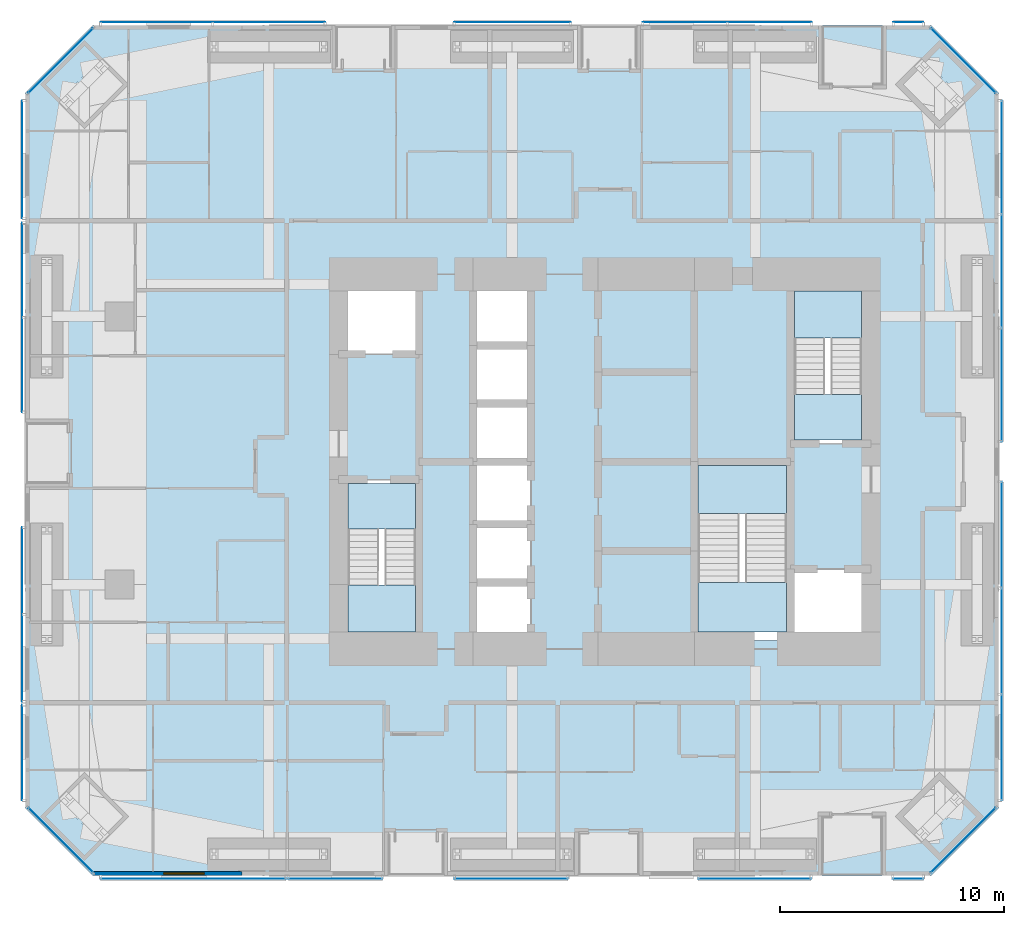
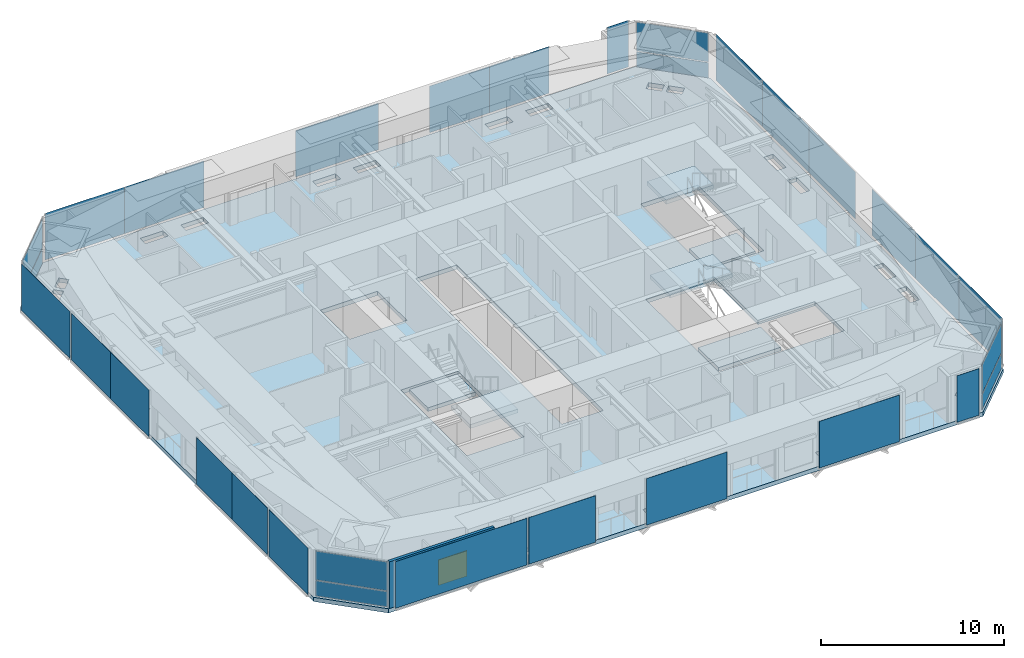
# One storey, part 15 of 23: 31 plates, 7 slabs, 1 wall, 1 window, 1 opening, 22 elements without a shape of their own.
"""IFC4 building model written with IfcOpenShell, lengths in metres."""

from ifc_helpers import new_model, si_unit, direction, frame, frame_2d, origin, origin_2d, place, context, subcontext, project, spatial, polyline, rectangle, outline, extrude, material, layer, layer_set, constituent, constituent_set, type_object, element, fill, aggregate, save


model = new_model("IFC4")

# Units and contexts
model_context = context("Model", 3, precision=1e-05, world=origin(), true_north=direction((0.0, 1.0)))
body_context = subcontext(model_context, "Body", "Model", "MODEL_VIEW")
ifc_project = project(units=[si_unit("LENGTHUNIT", "METRE"), si_unit("AREAUNIT", "SQUARE_METRE"), si_unit("VOLUMEUNIT", "CUBIC_METRE"), si_unit("PLANEANGLEUNIT", "RADIAN"), si_unit("MASSUNIT", "GRAM", prefix="KILO")], contexts=[model_context])

# Site, building, storey
site_placement = place(None, origin())
site = spatial("IfcSite", under=ifc_project, at=site_placement, CompositionType="ELEMENT")
building_placement = place(site_placement, origin())
building = spatial("IfcBuilding", under=site, at=building_placement, Name="Jalousie Tower", CompositionType="ELEMENT")
storey_placement = place(building_placement, frame((0.0, 0.0, 84.75)))
storey = spatial("IfcBuildingStorey", under=building, at=storey_placement, Name="L22", CompositionType="ELEMENT", Elevation=84.75)

# Curtain wall, plates
ifc_material_1 = material(Name="Aluminium curtain wall", Category="aluminium")
curtain_wall_type_1 = type_object("IfcCurtainWallType", Name="CORNER WINDOW WALL", PredefinedType="USERDEFINED", material=ifc_material_1)
curtain_wall_1_placement = place(storey_placement, origin())
curtain_wall_1 = element("IfcCurtainWall", 1, at=curtain_wall_1_placement, inside=storey, type_object=curtain_wall_type_1, Name="Corner Window Wall L22 2", ObjectType="CORNER WINDOW WALL", PredefinedType="USERDEFINED")
ifc_material_2 = material(Name="Laminated impact-rated spandrel glass", Category="glass")
ifc_layer_1 = layer(ifc_material_2, 0.028076171875)
ifc_layer_set_1 = layer_set([ifc_layer_1], Name="Laminated impact-rated spandrel glass")
plate_type_1 = type_object("IfcPlateType", Name="CORNER WINDOW WALL PANEL", PredefinedType="CURTAIN_PANEL", material=ifc_layer_set_1)
plate_1_placement = place(storey_placement, frame((47.9306640625, 1.5693359375, 0.06005859375), z_axis=(0.0, 0.0, 1.0), x_axis=(0.707106781187, 0.707106781187, 0.0)))
plate_1 = element("IfcPlate", 2, at=plate_1_placement, type_object=plate_type_1, Name="CW-C panel 1.1", PredefinedType="CURTAIN_PANEL", context=body_context, shape_type="SweptSolid", body=[
    extrude(rectangle(XDim=4.071533203125, YDim=0.028076171875, at=origin_2d()), origin(), (0.0, 0.0, 1.0), 1.010009765625),
])
plate_2_placement = place(storey_placement, frame((47.9306640625, 1.5693359375, 1.130126953125), z_axis=(0.0, 0.0, 1.0), x_axis=(0.707106781187, 0.707106781187, 0.0)))
plate_2 = element("IfcPlate", 3, at=plate_2_placement, type_object=plate_type_1, Name="CW-C panel 1.2", PredefinedType="CURTAIN_PANEL", context=body_context, shape_type="SweptSolid", body=[
    extrude(rectangle(XDim=4.071533203125, YDim=0.028076171875, at=origin_2d()), origin(), (0.0, 0.0, 1.0), 1.919921875),
])
aggregate(curtain_wall_1, [plate_1, plate_2])

curtain_wall_2_placement = place(storey_placement, origin())
curtain_wall_2 = element("IfcCurtainWall", 4, at=curtain_wall_2_placement, inside=storey, type_object=curtain_wall_type_1, Name="Corner Window Wall L22 4", ObjectType="CORNER WINDOW WALL", PredefinedType="USERDEFINED")
plate_3_placement = place(storey_placement, frame((47.9306640625, 36.4306640625, 0.06005859375), z_axis=(0.0, 0.0, 1.0), x_axis=(-0.707106781187, 0.707106781187, 0.0)))
plate_3 = element("IfcPlate", 5, at=plate_3_placement, type_object=plate_type_1, Name="CW-C panel 1.1", PredefinedType="CURTAIN_PANEL", context=body_context, shape_type="SweptSolid", body=[
    extrude(rectangle(XDim=4.071533203125, YDim=0.028076171875, at=origin_2d()), origin(), (0.0, 0.0, 1.0), 1.010009765625),
])
plate_4_placement = place(storey_placement, frame((47.9306640625, 36.4306640625, 1.130126953125), z_axis=(0.0, 0.0, 1.0), x_axis=(-0.707106781187, 0.707106781187, 0.0)))
plate_4 = element("IfcPlate", 6, at=plate_4_placement, type_object=plate_type_1, Name="CW-C panel 1.2", PredefinedType="CURTAIN_PANEL", context=body_context, shape_type="SweptSolid", body=[
    extrude(rectangle(XDim=4.071533203125, YDim=0.028076171875, at=origin_2d()), origin(), (0.0, 0.0, 1.0), 1.919921875),
])
aggregate(curtain_wall_2, [plate_3, plate_4])

curtain_wall_3_placement = place(storey_placement, origin())
curtain_wall_3 = element("IfcCurtainWall", 7, at=curtain_wall_3_placement, inside=storey, type_object=curtain_wall_type_1, Name="Corner Window Wall L22 6", ObjectType="CORNER WINDOW WALL", PredefinedType="USERDEFINED")
plate_5_placement = place(storey_placement, frame((7.5693359375, 36.4306640625, 0.06005859375), z_axis=(0.0, 0.0, 1.0), x_axis=(-0.707106781187, -0.707106781187, 0.0)))
plate_5 = element("IfcPlate", 8, at=plate_5_placement, type_object=plate_type_1, Name="CW-C panel 1.1", PredefinedType="CURTAIN_PANEL", context=body_context, shape_type="SweptSolid", body=[
    extrude(rectangle(XDim=4.071533203125, YDim=0.028076171875, at=origin_2d()), origin(), (0.0, 0.0, 1.0), 1.010009765625),
])
plate_6_placement = place(storey_placement, frame((7.5693359375, 36.4306640625, 1.130126953125), z_axis=(0.0, 0.0, 1.0), x_axis=(-0.707106781187, -0.707106781187, 0.0)))
plate_6 = element("IfcPlate", 9, at=plate_6_placement, type_object=plate_type_1, Name="CW-C panel 1.2", PredefinedType="CURTAIN_PANEL", context=body_context, shape_type="SweptSolid", body=[
    extrude(rectangle(XDim=4.071533203125, YDim=0.028076171875, at=origin_2d()), origin(), (0.0, 0.0, 1.0), 1.919921875),
])
aggregate(curtain_wall_3, [plate_5, plate_6])

curtain_wall_4_placement = place(storey_placement, origin())
curtain_wall_4 = element("IfcCurtainWall", 10, at=curtain_wall_4_placement, inside=storey, type_object=curtain_wall_type_1, Name="Corner Window Wall L22 8", ObjectType="CORNER WINDOW WALL", PredefinedType="USERDEFINED")
plate_7_placement = place(storey_placement, frame((7.5693359375, 1.5693359375, 0.06005859375), z_axis=(0.0, 0.0, 1.0), x_axis=(0.707106781187, -0.707106781187, 0.0)))
plate_7 = element("IfcPlate", 11, at=plate_7_placement, type_object=plate_type_1, Name="CW-C panel 1.1", PredefinedType="CURTAIN_PANEL", context=body_context, shape_type="SweptSolid", body=[
    extrude(rectangle(XDim=4.071533203125, YDim=0.028076171875, at=origin_2d()), origin(), (0.0, 0.0, 1.0), 1.010009765625),
])
plate_8_placement = place(storey_placement, frame((7.5693359375, 1.5693359375, 1.130126953125), z_axis=(0.0, 0.0, 1.0), x_axis=(0.707106781187, -0.707106781187, 0.0)))
plate_8 = element("IfcPlate", 12, at=plate_8_placement, type_object=plate_type_1, Name="CW-C panel 1.2", PredefinedType="CURTAIN_PANEL", context=body_context, shape_type="SweptSolid", body=[
    extrude(rectangle(XDim=4.071533203125, YDim=0.028076171875, at=origin_2d()), origin(), (0.0, 0.0, 1.0), 1.919921875),
])
aggregate(curtain_wall_4, [plate_7, plate_8])

# Slab
ifc_material_3 = material(Name="Concrete f'c 40 MPa", Category="concrete")
ifc_layer_2 = layer(ifc_material_3, 0.280029296875)
ifc_layer_set_2 = layer_set([ifc_layer_2], Name="Concrete f'c 40 MPa")
slab_type_1 = type_object("IfcSlabType", Name="FLOOR SLAB 280", PredefinedType="FLOOR", material=ifc_layer_set_2)
slab_1_placement = place(storey_placement, frame((0.0, 0.0, -0.280029296875)))
element("IfcSlab", 13, at=slab_1_placement, inside=storey, type_object=slab_type_1, Name="L22 floor slab", PredefinedType="FLOOR", context=body_context, shape_type="SweptSolid", body=[
    extrude(outline(polyline([(9.0, 0.0), (46.5, 0.0), (49.5, 3.0), (49.5, 35.0), (46.5, 38.0), (9.0, 38.0), (6.0, 35.0), (6.0, 3.0), (9.0, 0.0)]), holes=[polyline([(27.19091796875, 0.663818359375), (25.755859375, 0.663818359375), (25.755859375, 1.236083984375), (27.19091796875, 1.236083984375), (27.19091796875, 0.663818359375)]), polyline([(16.31591796875, 1.236083984375), (16.31591796875, 0.663818359375), (14.880859375, 0.663818359375), (14.880859375, 1.236083984375), (16.31591796875, 1.236083984375)]), polyline([(17.43408203125, 1.236083984375), (18.869140625, 1.236083984375), (18.869140625, 0.663818359375), (17.43408203125, 0.663818359375), (17.43408203125, 1.236083984375)]), polyline([(8.9248046875, 2.742919921875), (9.553466796875, 2.114013671875), (9.148681640625, 1.70947265625), (8.52001953125, 2.338134765625), (8.9248046875, 2.742919921875)]), polyline([(8.338134765625, 2.52001953125), (7.70947265625, 3.148681640625), (8.114013671875, 3.553466796875), (8.742919921875, 2.9248046875), (8.338134765625, 2.52001953125)]), polyline([(7.236083984375, 12.44091796875), (7.236083984375, 11.005859375), (6.663818359375, 11.005859375), (6.663818359375, 12.44091796875), (7.236083984375, 12.44091796875)]), polyline([(20.0, 10.5), (23.60009765625, 10.5), (23.60009765625, 17.699951171875), (20.0, 17.699951171875), (20.0, 10.5)]), polyline([(6.663818359375, 13.55908203125), (6.663818359375, 14.994140625), (7.236083984375, 14.994140625), (7.236083984375, 13.55908203125), (6.663818359375, 13.55908203125)]), polyline([(26.0, 10.5), (26.0, 26.5), (28.60009765625, 26.5), (28.60009765625, 10.5), (26.0, 10.5)]), polyline([(6.663818359375, 24.44091796875), (7.236083984375, 24.44091796875), (7.236083984375, 23.005859375), (6.663818359375, 23.005859375), (6.663818359375, 24.44091796875)]), polyline([(20.0, 23.300048828125), (23.60009765625, 23.300048828125), (23.60009765625, 26.5), (20.0, 26.5), (20.0, 23.300048828125)]), polyline([(6.663818359375, 25.55908203125), (6.663818359375, 26.994140625), (7.236083984375, 26.994140625), (7.236083984375, 25.55908203125), (6.663818359375, 25.55908203125)]), polyline([(8.742919921875, 35.0751953125), (8.114013671875, 34.446533203125), (7.70947265625, 34.851318359375), (8.338134765625, 35.47998046875), (8.742919921875, 35.0751953125)]), polyline([(8.52001953125, 35.661865234375), (9.148681640625, 36.29052734375), (9.553466796875, 35.885986328125), (8.9248046875, 35.257080078125), (8.52001953125, 35.661865234375)]), polyline([(17.43408203125, 37.336181640625), (18.869140625, 37.336181640625), (18.869140625, 36.763916015625), (17.43408203125, 36.763916015625), (17.43408203125, 37.336181640625)]), polyline([(16.31591796875, 36.763916015625), (14.880859375, 36.763916015625), (14.880859375, 37.336181640625), (16.31591796875, 37.336181640625), (16.31591796875, 36.763916015625)]), polyline([(27.19091796875, 36.763916015625), (25.755859375, 36.763916015625), (25.755859375, 37.336181640625), (27.19091796875, 37.336181640625), (27.19091796875, 36.763916015625)]), polyline([(28.30908203125, 0.663818359375), (28.30908203125, 1.236083984375), (29.744140625, 1.236083984375), (29.744140625, 0.663818359375), (28.30908203125, 0.663818359375)]), polyline([(38.06591796875, 0.663818359375), (36.630859375, 0.663818359375), (36.630859375, 1.236083984375), (38.06591796875, 1.236083984375), (38.06591796875, 0.663818359375)]), polyline([(39.18408203125, 1.236083984375), (40.619140625, 1.236083984375), (40.619140625, 0.663818359375), (39.18408203125, 0.663818359375), (39.18408203125, 1.236083984375)]), polyline([(46.97998046875, 2.338134765625), (46.351318359375, 1.70947265625), (45.946533203125, 2.114013671875), (46.5751953125, 2.742919921875), (46.97998046875, 2.338134765625)]), polyline([(46.757080078125, 2.9248046875), (47.385986328125, 3.553466796875), (47.79052734375, 3.148681640625), (47.161865234375, 2.52001953125), (46.757080078125, 2.9248046875)]), polyline([(48.836181640625, 12.44091796875), (48.836181640625, 11.005859375), (48.263916015625, 11.005859375), (48.263916015625, 12.44091796875), (48.836181640625, 12.44091796875)]), polyline([(43.800048828125, 10.5), (35.89990234375, 10.5), (35.89990234375, 18.5), (40.199951171875, 18.5), (40.199951171875, 13.699951171875), (43.800048828125, 13.699951171875), (43.800048828125, 10.5)]), polyline([(48.263916015625, 13.55908203125), (48.263916015625, 14.994140625), (48.836181640625, 14.994140625), (48.836181640625, 13.55908203125), (48.263916015625, 13.55908203125)]), polyline([(40.199951171875, 19.300048828125), (43.800048828125, 19.300048828125), (43.800048828125, 26.5), (40.199951171875, 26.5), (40.199951171875, 19.300048828125)]), polyline([(48.263916015625, 24.44091796875), (48.836181640625, 24.44091796875), (48.836181640625, 23.005859375), (48.263916015625, 23.005859375), (48.263916015625, 24.44091796875)]), polyline([(48.263916015625, 25.55908203125), (48.263916015625, 26.994140625), (48.836181640625, 26.994140625), (48.836181640625, 25.55908203125), (48.263916015625, 25.55908203125)]), polyline([(47.161865234375, 35.47998046875), (47.79052734375, 34.851318359375), (47.385986328125, 34.446533203125), (46.757080078125, 35.0751953125), (47.161865234375, 35.47998046875)]), polyline([(46.5751953125, 35.257080078125), (45.946533203125, 35.885986328125), (46.351318359375, 36.29052734375), (46.97998046875, 35.661865234375), (46.5751953125, 35.257080078125)]), polyline([(39.18408203125, 37.336181640625), (40.619140625, 37.336181640625), (40.619140625, 36.763916015625), (39.18408203125, 36.763916015625), (39.18408203125, 37.336181640625)]), polyline([(38.06591796875, 36.763916015625), (36.630859375, 36.763916015625), (36.630859375, 37.336181640625), (38.06591796875, 37.336181640625), (38.06591796875, 36.763916015625)]), polyline([(28.30908203125, 37.336181640625), (29.744140625, 37.336181640625), (29.744140625, 36.763916015625), (28.30908203125, 36.763916015625), (28.30908203125, 37.336181640625)])]), origin(), (0.0, 0.0, 1.0), 0.280029296875),
])

# Curtain wall, plate
ifc_material_4 = material(Name="Perforated aluminium sheet", Category="aluminium")
curtain_wall_type_2 = type_object("IfcCurtainWallType", Name="SOLAR SCREEN SS-1", PredefinedType="USERDEFINED", material=ifc_material_4)
curtain_wall_5_placement = place(storey_placement, origin())
curtain_wall_5 = element("IfcCurtainWall", 14, at=curtain_wall_5_placement, inside=storey, type_object=curtain_wall_type_2, Name="Solar screen L22", ObjectType="SOLAR SCREEN SS-1", PredefinedType="USERDEFINED")
ifc_material_5 = material(Name="Perforated aluminium sheet", Category="aluminium")
ifc_layer_3 = layer(ifc_material_5, 0.006103515625)
ifc_layer_set_3 = layer_set([ifc_layer_3], Name="Perforated aluminium sheet")
plate_type_2 = type_object("IfcPlateType", Name="SOLAR SCREEN SS-1 PANEL", PredefinedType="CURTAIN_PANEL", material=ifc_layer_set_3)
plate_9_placement = place(storey_placement, frame((13.500732421875, -0.150390625, 0.0), z_axis=(0.0, 0.0, 1.0), x_axis=(1.0, 0.0, 0.0)))
plate_9 = element("IfcPlate", 15, at=plate_9_placement, type_object=plate_type_2, Name="SS1 perforated panel 1", PredefinedType="CURTAIN_PANEL", context=body_context, shape_type="SweptSolid", body=[
    extrude(rectangle(XDim=8.298583984375, YDim=0.006103515625, at=origin_2d()), origin(), (0.0, 0.0, 1.0), 3.110107421875),
])
aggregate(curtain_wall_5, [plate_9])

curtain_wall_6_placement = place(storey_placement, origin())
curtain_wall_6 = element("IfcCurtainWall", 16, at=curtain_wall_6_placement, inside=storey, type_object=curtain_wall_type_2, Name="Solar screen L22", ObjectType="SOLAR SCREEN SS-1", PredefinedType="USERDEFINED")
plate_10_placement = place(storey_placement, frame((19.85009765625, -0.150390625, 0.0), z_axis=(0.0, 0.0, 1.0), x_axis=(1.0, 0.0, 0.0)))
plate_10 = element("IfcPlate", 17, at=plate_10_placement, type_object=plate_type_2, Name="SS1 perforated panel 1", PredefinedType="CURTAIN_PANEL", context=body_context, shape_type="SweptSolid", body=[
    extrude(rectangle(XDim=4.199951171875, YDim=0.006103515625, at=origin_2d()), origin(), (0.0, 0.0, 1.0), 3.110107421875),
])
aggregate(curtain_wall_6, [plate_10])

curtain_wall_7_placement = place(storey_placement, origin())
curtain_wall_7 = element("IfcCurtainWall", 18, at=curtain_wall_7_placement, inside=storey, type_object=curtain_wall_type_2, Name="Solar screen L22", ObjectType="SOLAR SCREEN SS-1", PredefinedType="USERDEFINED")
plate_11_placement = place(storey_placement, frame((27.71240234375, -0.150390625, 0.0), z_axis=(0.0, 0.0, 1.0), x_axis=(1.0, 0.0, 0.0)))
plate_11 = element("IfcPlate", 19, at=plate_11_placement, type_object=plate_type_2, Name="SS1 perforated panel 1", PredefinedType="CURTAIN_PANEL", context=body_context, shape_type="SweptSolid", body=[
    extrude(rectangle(XDim=5.074951171875, YDim=0.006103515625, at=origin_2d()), origin(), (0.0, 0.0, 1.0), 3.110107421875),
])
aggregate(curtain_wall_7, [plate_11])

curtain_wall_8_placement = place(storey_placement, origin())
curtain_wall_8 = element("IfcCurtainWall", 20, at=curtain_wall_8_placement, inside=storey, type_object=curtain_wall_type_2, Name="Solar screen L22", ObjectType="SOLAR SCREEN SS-1", PredefinedType="USERDEFINED")
plate_12_placement = place(storey_placement, frame((38.60009765625, -0.150390625, 0.0), z_axis=(0.0, 0.0, 1.0), x_axis=(1.0, 0.0, 0.0)))
plate_12 = element("IfcPlate", 21, at=plate_12_placement, type_object=plate_type_2, Name="SS1 perforated panel 1", PredefinedType="CURTAIN_PANEL", context=body_context, shape_type="SweptSolid", body=[
    extrude(rectangle(XDim=5.050048828125, YDim=0.006103515625, at=origin_2d()), origin(), (0.0, 0.0, 1.0), 3.110107421875),
])
aggregate(curtain_wall_8, [plate_12])

curtain_wall_9_placement = place(storey_placement, origin())
curtain_wall_9 = element("IfcCurtainWall", 22, at=curtain_wall_9_placement, inside=storey, type_object=curtain_wall_type_2, Name="Solar screen L22", ObjectType="SOLAR SCREEN SS-1", PredefinedType="USERDEFINED")
plate_13_placement = place(storey_placement, frame((45.4619140625, -0.150390625, 0.0), z_axis=(0.0, 0.0, 1.0), x_axis=(1.0, 0.0, 0.0)))
plate_13 = element("IfcPlate", 23, at=plate_13_placement, type_object=plate_type_2, Name="SS1 perforated panel 1", PredefinedType="CURTAIN_PANEL", context=body_context, shape_type="SweptSolid", body=[
    extrude(rectangle(XDim=1.373779296875, YDim=0.006103515625, at=origin_2d()), origin(), (0.0, 0.0, 1.0), 3.110107421875),
])
aggregate(curtain_wall_9, [plate_13])

# Curtain wall, plates
curtain_wall_10_placement = place(storey_placement, origin())
curtain_wall_10 = element("IfcCurtainWall", 24, at=curtain_wall_10_placement, inside=storey, type_object=curtain_wall_type_2, Name="Solar screen L22", ObjectType="SOLAR SCREEN SS-1", PredefinedType="USERDEFINED")
plate_14_placement = place(storey_placement, frame((49.650390625, 5.72607421875, 0.0), z_axis=(0.0, 0.0, 1.0), x_axis=(0.0, 1.0, 0.0)))
plate_14 = element("IfcPlate", 25, at=plate_14_placement, type_object=plate_type_2, Name="SS1 perforated panel 1", PredefinedType="CURTAIN_PANEL", context=body_context, shape_type="SweptSolid", body=[
    extrude(rectangle(XDim=4.74951171875, YDim=0.006103515625, at=origin_2d()), origin(), (0.0, 0.0, 1.0), 3.110107421875),
])
plate_15_placement = place(storey_placement, frame((49.650390625, 10.4755859375, 0.0), z_axis=(0.0, 0.0, 1.0), x_axis=(0.0, 1.0, 0.0)))
plate_15 = element("IfcPlate", 26, at=plate_15_placement, type_object=plate_type_2, Name="SS1 perforated panel 2", PredefinedType="CURTAIN_PANEL", context=body_context, shape_type="SweptSolid", body=[
    extrude(rectangle(XDim=4.74951171875, YDim=0.006103515625, at=origin_2d()), origin(), (0.0, 0.0, 1.0), 3.110107421875),
])
plate_16_placement = place(storey_placement, frame((49.650390625, 15.22509765625, 0.0), z_axis=(0.0, 0.0, 1.0), x_axis=(0.0, 1.0, 0.0)))
plate_16 = element("IfcPlate", 27, at=plate_16_placement, type_object=plate_type_2, Name="SS1 perforated panel 3", PredefinedType="CURTAIN_PANEL", context=body_context, shape_type="SweptSolid", body=[
    extrude(rectangle(XDim=4.74951171875, YDim=0.006103515625, at=origin_2d()), origin(), (0.0, 0.0, 1.0), 3.110107421875),
])
aggregate(curtain_wall_10, [plate_14, plate_15, plate_16])

curtain_wall_11_placement = place(storey_placement, origin())
curtain_wall_11 = element("IfcCurtainWall", 28, at=curtain_wall_11_placement, inside=storey, type_object=curtain_wall_type_2, Name="Solar screen L22", ObjectType="SOLAR SCREEN SS-1", PredefinedType="USERDEFINED")
plate_17_placement = place(storey_placement, frame((49.650390625, 21.94140625, 0.0), z_axis=(0.0, 0.0, 1.0), x_axis=(0.0, 1.0, 0.0)))
plate_17 = element("IfcPlate", 29, at=plate_17_placement, type_object=plate_type_2, Name="SS1 perforated panel 1", PredefinedType="CURTAIN_PANEL", context=body_context, shape_type="SweptSolid", body=[
    extrude(rectangle(XDim=5.0830078125, YDim=0.006103515625, at=origin_2d()), origin(), (0.0, 0.0, 1.0), 3.110107421875),
])
plate_18_placement = place(storey_placement, frame((49.650390625, 27.0244140625, 0.0), z_axis=(0.0, 0.0, 1.0), x_axis=(0.0, 1.0, 0.0)))
plate_18 = element("IfcPlate", 30, at=plate_18_placement, type_object=plate_type_2, Name="SS1 perforated panel 2", PredefinedType="CURTAIN_PANEL", context=body_context, shape_type="SweptSolid", body=[
    extrude(rectangle(XDim=5.0830078125, YDim=0.006103515625, at=origin_2d()), origin(), (0.0, 0.0, 1.0), 3.110107421875),
])
plate_19_placement = place(storey_placement, frame((49.650390625, 32.107177734375, 0.0), z_axis=(0.0, 0.0, 1.0), x_axis=(0.0, 1.0, 0.0)))
plate_19 = element("IfcPlate", 31, at=plate_19_placement, type_object=plate_type_2, Name="SS1 perforated panel 3", PredefinedType="CURTAIN_PANEL", context=body_context, shape_type="SweptSolid", body=[
    extrude(rectangle(XDim=5.0830078125, YDim=0.006103515625, at=origin_2d()), origin(), (0.0, 0.0, 1.0), 3.110107421875),
])
aggregate(curtain_wall_11, [plate_17, plate_18, plate_19])

# Curtain wall, plate
curtain_wall_12_placement = place(storey_placement, origin())
curtain_wall_12 = element("IfcCurtainWall", 32, at=curtain_wall_12_placement, inside=storey, type_object=curtain_wall_type_2, Name="Solar screen L22", ObjectType="SOLAR SCREEN SS-1", PredefinedType="USERDEFINED")
plate_20_placement = place(storey_placement, frame((45.4736328125, 38.150390625, 0.0), z_axis=(0.0, 0.0, 1.0), x_axis=(-1.0, 0.0, 0.0)))
plate_20 = element("IfcPlate", 33, at=plate_20_placement, type_object=plate_type_2, Name="SS1 perforated panel 1", PredefinedType="CURTAIN_PANEL", context=body_context, shape_type="SweptSolid", body=[
    extrude(rectangle(XDim=1.35009765625, YDim=0.006103515625, at=origin_2d()), origin(), (0.0, 0.0, 1.0), 3.110107421875),
])
aggregate(curtain_wall_12, [plate_20])

# Curtain wall, plates
curtain_wall_13_placement = place(storey_placement, origin())
curtain_wall_13 = element("IfcCurtainWall", 34, at=curtain_wall_13_placement, inside=storey, type_object=curtain_wall_type_2, Name="Solar screen L22", ObjectType="SOLAR SCREEN SS-1", PredefinedType="USERDEFINED")
plate_21_placement = place(storey_placement, frame((39.261474609375, 38.150390625, 0.0), z_axis=(0.0, 0.0, 1.0), x_axis=(-1.0, 0.0, 0.0)))
plate_21 = element("IfcPlate", 35, at=plate_21_placement, type_object=plate_type_2, Name="SS1 perforated panel 1", PredefinedType="CURTAIN_PANEL", context=body_context, shape_type="SweptSolid", body=[
    extrude(rectangle(XDim=3.7744140625, YDim=0.006103515625, at=origin_2d()), origin(), (0.0, 0.0, 1.0), 3.110107421875),
])
plate_22_placement = place(storey_placement, frame((35.4873046875, 38.150390625, 0.0), z_axis=(0.0, 0.0, 1.0), x_axis=(-1.0, 0.0, 0.0)))
plate_22 = element("IfcPlate", 36, at=plate_22_placement, type_object=plate_type_2, Name="SS1 perforated panel 2", PredefinedType="CURTAIN_PANEL", context=body_context, shape_type="SweptSolid", body=[
    extrude(rectangle(XDim=3.7744140625, YDim=0.006103515625, at=origin_2d()), origin(), (0.0, 0.0, 1.0), 3.110107421875),
])
aggregate(curtain_wall_13, [plate_21, plate_22])

# Curtain wall, plate
curtain_wall_14_placement = place(storey_placement, origin())
curtain_wall_14 = element("IfcCurtainWall", 37, at=curtain_wall_14_placement, inside=storey, type_object=curtain_wall_type_2, Name="Solar screen L22", ObjectType="SOLAR SCREEN SS-1", PredefinedType="USERDEFINED")
plate_23_placement = place(storey_placement, frame((27.767578125, 38.150390625, 0.0), z_axis=(0.0, 0.0, 1.0), x_axis=(-1.0, 0.0, 0.0)))
plate_23 = element("IfcPlate", 38, at=plate_23_placement, type_object=plate_type_2, Name="SS1 perforated panel 1", PredefinedType="CURTAIN_PANEL", context=body_context, shape_type="SweptSolid", body=[
    extrude(rectangle(XDim=5.214599609375, YDim=0.006103515625, at=origin_2d()), origin(), (0.0, 0.0, 1.0), 3.110107421875),
])
aggregate(curtain_wall_14, [plate_23])

# Curtain wall, plates
curtain_wall_15_placement = place(storey_placement, origin())
curtain_wall_15 = element("IfcCurtainWall", 39, at=curtain_wall_15_placement, inside=storey, type_object=curtain_wall_type_2, Name="Solar screen L22", ObjectType="SOLAR SCREEN SS-1", PredefinedType="USERDEFINED")
plate_24_placement = place(storey_placement, frame((16.882080078125, 38.150390625, 0.0), z_axis=(0.0, 0.0, 1.0), x_axis=(-1.0, 0.0, 0.0)))
plate_24 = element("IfcPlate", 40, at=plate_24_placement, type_object=plate_type_2, Name="SS1 perforated panel 1", PredefinedType="CURTAIN_PANEL", context=body_context, shape_type="SweptSolid", body=[
    extrude(rectangle(XDim=5.0205078125, YDim=0.006103515625, at=origin_2d()), origin(), (0.0, 0.0, 1.0), 3.110107421875),
])
plate_25_placement = place(storey_placement, frame((11.861572265625, 38.150390625, 0.0), z_axis=(0.0, 0.0, 1.0), x_axis=(-1.0, 0.0, 0.0)))
plate_25 = element("IfcPlate", 41, at=plate_25_placement, type_object=plate_type_2, Name="SS1 perforated panel 2", PredefinedType="CURTAIN_PANEL", context=body_context, shape_type="SweptSolid", body=[
    extrude(rectangle(XDim=5.0205078125, YDim=0.006103515625, at=origin_2d()), origin(), (0.0, 0.0, 1.0), 3.110107421875),
])
aggregate(curtain_wall_15, [plate_24, plate_25])

# Curtain wall, plate
curtain_wall_16_placement = place(storey_placement, origin())
curtain_wall_16 = element("IfcCurtainWall", 42, at=curtain_wall_16_placement, inside=storey, type_object=curtain_wall_type_2, Name="Solar screen L22", ObjectType="SOLAR SCREEN SS-1", PredefinedType="USERDEFINED")
plate_26_placement = place(storey_placement, frame((5.849609375, 32.01171875, 0.0), z_axis=(0.0, 0.0, 1.0), x_axis=(0.0, -1.0, 0.0)))
plate_26 = element("IfcPlate", 43, at=plate_26_placement, type_object=plate_type_2, Name="SS1 perforated panel 1", PredefinedType="CURTAIN_PANEL", context=body_context, shape_type="SweptSolid", body=[
    extrude(rectangle(XDim=5.273681640625, YDim=0.006103515625, at=origin_2d()), origin(), (0.0, 0.0, 1.0), 3.110107421875),
])
aggregate(curtain_wall_16, [plate_26])

# Curtain wall, plates
curtain_wall_17_placement = place(storey_placement, origin())
curtain_wall_17 = element("IfcCurtainWall", 44, at=curtain_wall_17_placement, inside=storey, type_object=curtain_wall_type_2, Name="Solar screen L22", ObjectType="SOLAR SCREEN SS-1", PredefinedType="USERDEFINED")
plate_27_placement = place(storey_placement, frame((5.849609375, 27.060302734375, 0.0), z_axis=(0.0, 0.0, 1.0), x_axis=(0.0, -1.0, 0.0)))
plate_27 = element("IfcPlate", 45, at=plate_27_placement, type_object=plate_type_2, Name="SS1 perforated panel 1", PredefinedType="CURTAIN_PANEL", context=body_context, shape_type="SweptSolid", body=[
    extrude(rectangle(XDim=4.229248046875, YDim=0.006103515625, at=origin_2d()), origin(), (0.0, 0.0, 1.0), 3.110107421875),
])
plate_28_placement = place(storey_placement, frame((5.849609375, 22.831298828125, 0.0), z_axis=(0.0, 0.0, 1.0), x_axis=(0.0, -1.0, 0.0)))
plate_28 = element("IfcPlate", 46, at=plate_28_placement, type_object=plate_type_2, Name="SS1 perforated panel 2", PredefinedType="CURTAIN_PANEL", context=body_context, shape_type="SweptSolid", body=[
    extrude(rectangle(XDim=4.229248046875, YDim=0.006103515625, at=origin_2d()), origin(), (0.0, 0.0, 1.0), 3.110107421875),
])
aggregate(curtain_wall_17, [plate_27, plate_28])

curtain_wall_18_placement = place(storey_placement, origin())
curtain_wall_18 = element("IfcCurtainWall", 47, at=curtain_wall_18_placement, inside=storey, type_object=curtain_wall_type_2, Name="Solar screen L22", ObjectType="SOLAR SCREEN SS-1", PredefinedType="USERDEFINED")
plate_29_placement = place(storey_placement, frame((5.849609375, 13.6123046875, 0.0), z_axis=(0.0, 0.0, 1.0), x_axis=(0.0, -1.0, 0.0)))
plate_29 = element("IfcPlate", 48, at=plate_29_placement, type_object=plate_type_2, Name="SS1 perforated panel 1", PredefinedType="CURTAIN_PANEL", context=body_context, shape_type="SweptSolid", body=[
    extrude(rectangle(XDim=3.8916015625, YDim=0.006103515625, at=origin_2d()), origin(), (0.0, 0.0, 1.0), 3.110107421875),
])
plate_30_placement = place(storey_placement, frame((5.849609375, 9.720703125, 0.0), z_axis=(0.0, 0.0, 1.0), x_axis=(0.0, -1.0, 0.0)))
plate_30 = element("IfcPlate", 49, at=plate_30_placement, type_object=plate_type_2, Name="SS1 perforated panel 2", PredefinedType="CURTAIN_PANEL", context=body_context, shape_type="SweptSolid", body=[
    extrude(rectangle(XDim=3.8916015625, YDim=0.006103515625, at=origin_2d()), origin(), (0.0, 0.0, 1.0), 3.110107421875),
])
aggregate(curtain_wall_18, [plate_29, plate_30])

# Curtain wall, plate
curtain_wall_19_placement = place(storey_placement, origin())
curtain_wall_19 = element("IfcCurtainWall", 50, at=curtain_wall_19_placement, inside=storey, type_object=curtain_wall_type_2, Name="Solar screen L22", ObjectType="SOLAR SCREEN SS-1", PredefinedType="USERDEFINED")
plate_31_placement = place(storey_placement, frame((5.849609375, 5.48828125, 0.0), z_axis=(0.0, 0.0, 1.0), x_axis=(0.0, -1.0, 0.0)))
plate_31 = element("IfcPlate", 51, at=plate_31_placement, type_object=plate_type_2, Name="SS1 perforated panel 1", PredefinedType="CURTAIN_PANEL", context=body_context, shape_type="SweptSolid", body=[
    extrude(rectangle(XDim=4.273681640625, YDim=0.006103515625, at=origin_2d()), origin(), (0.0, 0.0, 1.0), 3.110107421875),
])
aggregate(curtain_wall_19, [plate_31])

# Stair, slabs
ifc_material_6 = material(Name="Concrete f'c 40 MPa", Category="concrete")
stair_type = type_object("IfcStairType", Name="EXIT STAIR", PredefinedType="HALF_TURN_STAIR", material=ifc_material_6)
stair_1_placement = place(storey_placement, origin())
stair_1 = element("IfcStair", 52, at=stair_1_placement, inside=storey, type_object=stair_type, Name="Exit stair A L22", PredefinedType="HALF_TURN_STAIR")
ifc_material_7 = material(Name="Concrete f'c 40 MPa", Category="concrete")
ifc_layer_4 = layer(ifc_material_7, 0.25)
ifc_layer_set_4 = layer_set([ifc_layer_4], Name="Concrete f'c 40 MPa")
slab_type_2 = type_object("IfcSlabType", Name="STAIR LANDING 250", PredefinedType="LANDING", material=ifc_layer_set_4)
slab_2_placement = place(storey_placement, frame((0.0, 0.0, -0.25)))
slab_2 = element("IfcSlab", 53, at=slab_2_placement, type_object=slab_type_2, Name="ST-A landing 1", PredefinedType="LANDING", context=body_context, shape_type="SweptSolid", body=[
    extrude(outline(polyline([(20.425048828125, 15.49755859375), (23.425048828125, 15.49755859375), (23.425048828125, 17.52490234375), (20.425048828125, 17.52490234375), (20.425048828125, 15.49755859375)])), origin(), (0.0, 0.0, 1.0), 0.25),
])
slab_3_placement = place(storey_placement, frame((0.0, 0.0, 1.425048828125)))
slab_3 = element("IfcSlab", 54, at=slab_3_placement, type_object=slab_type_2, Name="ST-A landing 2", PredefinedType="LANDING", context=body_context, shape_type="SweptSolid", body=[
    extrude(outline(polyline([(20.425048828125, 10.875), (23.425048828125, 10.875), (23.425048828125, 12.9775390625), (20.425048828125, 12.9775390625), (20.425048828125, 10.875)])), origin(), (0.0, 0.0, 1.0), 0.25),
])
aggregate(stair_1, [slab_2, slab_3])

stair_2_placement = place(storey_placement, origin())
stair_2 = element("IfcStair", 55, at=stair_2_placement, inside=storey, type_object=stair_type, Name="Exit stair B L22", PredefinedType="HALF_TURN_STAIR")
slab_4_placement = place(storey_placement, frame((0.0, 0.0, -0.25)))
slab_4 = element("IfcSlab", 56, at=slab_4_placement, type_object=slab_type_2, Name="ST-B landing 1", PredefinedType="LANDING", context=body_context, shape_type="SweptSolid", body=[
    extrude(outline(polyline([(40.375, 19.47509765625), (43.375, 19.47509765625), (43.375, 21.50244140625), (40.375, 21.50244140625), (40.375, 19.47509765625)])), origin(), (0.0, 0.0, 1.0), 0.25),
])
slab_5_placement = place(storey_placement, frame((0.0, 0.0, 1.425048828125)))
slab_5 = element("IfcSlab", 57, at=slab_5_placement, type_object=slab_type_2, Name="ST-B landing 2", PredefinedType="LANDING", context=body_context, shape_type="SweptSolid", body=[
    extrude(outline(polyline([(40.375, 24.0224609375), (43.375, 24.0224609375), (43.375, 26.125), (40.375, 26.125), (40.375, 24.0224609375)])), origin(), (0.0, 0.0, 1.0), 0.25),
])
aggregate(stair_2, [slab_4, slab_5])

stair_3_placement = place(storey_placement, origin())
stair_3 = element("IfcStair", 58, at=stair_3_placement, inside=storey, type_object=stair_type, Name="Exit stair C L22", PredefinedType="HALF_TURN_STAIR")
slab_6_placement = place(storey_placement, frame((0.0, 0.0, -0.25)))
slab_6 = element("IfcSlab", 59, at=slab_6_placement, type_object=slab_type_2, Name="ST-C landing 1", PredefinedType="LANDING", context=body_context, shape_type="SweptSolid", body=[
    extrude(outline(polyline([(36.074951171875, 10.875), (40.02490234375, 10.875), (40.02490234375, 13.097412109375), (36.074951171875, 13.097412109375), (36.074951171875, 10.875)])), origin(), (0.0, 0.0, 1.0), 0.25),
])
slab_7_placement = place(storey_placement, frame((0.0, 0.0, 1.425048828125)))
slab_7 = element("IfcSlab", 60, at=slab_7_placement, type_object=slab_type_2, Name="ST-C landing 2", PredefinedType="LANDING", context=body_context, shape_type="SweptSolid", body=[
    extrude(outline(polyline([(36.074951171875, 16.177490234375), (40.02490234375, 16.177490234375), (40.02490234375, 18.324951171875), (36.074951171875, 18.324951171875), (36.074951171875, 16.177490234375)])), origin(), (0.0, 0.0, 1.0), 0.25),
])
aggregate(stair_3, [slab_6, slab_7])

# Wall, opening, window
ifc_material_8 = material(Name="Concrete f'c 40 MPa", Category="concrete")
ifc_constituent_1 = constituent(ifc_material_8, Name="Body")
ifc_material_9 = material(Name="Render, pastel sea green")
ifc_constituent_2 = constituent(ifc_material_9, Name="Finish")
ifc_constituent_set = constituent_set(constituents=[ifc_constituent_1, ifc_constituent_2])
wall_type = type_object("IfcWallType", Name="EXTERNAL WALL 175 SEA GREEN RENDER", PredefinedType="SOLIDWALL", material=ifc_constituent_set)
wall_placement = place(storey_placement, frame((9.05126953125, 0.08740234375, 0.0), z_axis=(0.0, 0.0, 1.0), x_axis=(1.0, 0.0, 0.0)))
wall = element("IfcWall", 61, at=wall_placement, inside=storey, type_object=wall_type, Name="External Wall 175 Sea Green Render L22-A", PredefinedType="SOLIDWALL", context=body_context, shape_type="SweptSolid", body=[
    extrude(rectangle(XDim=6.61962890625, YDim=0.175048828125, at=frame_2d((3.309814453125, 0.0))), origin(), (0.0, 0.0, 1.0), 3.110107421875),
])
opening_placement = place(wall_placement, frame((3.1337890625, 0.0, 0.39990234375)))
opening = element("IfcOpeningElement", 62, at=opening_placement, cuts=wall, Name="Opening W-BED170", PredefinedType="OPENING", context=body_context, shape_type="SweptSolid", body=[
    extrude(rectangle(XDim=1.800048828125, YDim=1.699951171875, at=frame_2d((0.89990234375, 0.85009765625))), frame((0.0, 0.097412109375, 0.0), z_axis=(0.0, -1.0, 0.0), x_axis=(1.0, 0.0, 0.0)), (0.0, 0.0, 1.0), 0.195068359375),
])
ifc_material_10 = material(Name="Aluminium frame, impact-rated glazing", Category="aluminium")
window_type = type_object("IfcWindowType", Name="WINDOW BED 1800x1700", PartitioningType="SINGLE_PANEL", PredefinedType="WINDOW", material=ifc_material_10)
window_placement = place(opening_placement, origin())
window = element("IfcWindow", 63, at=window_placement, inside=storey, type_object=window_type, Name="Apartment 2201 bedroom 2 window", OverallHeight=1.699951171875, OverallWidth=1.800048828125, PartitioningType="SINGLE_PANEL", PredefinedType="WINDOW", context=body_context, shape_type="SweptSolid", body=[
    extrude(rectangle(XDim=1.800048828125, YDim=1.699951171875, at=frame_2d((0.89990234375, 0.85009765625))), frame((0.0, 0.030029296875, 0.0), z_axis=(0.0, -1.0, 0.0), x_axis=(1.0, 0.0, 0.0)), (0.0, 0.0, 1.0), 0.06005859375),
])
fill(opening, window)

save(model, "model.ifc")
